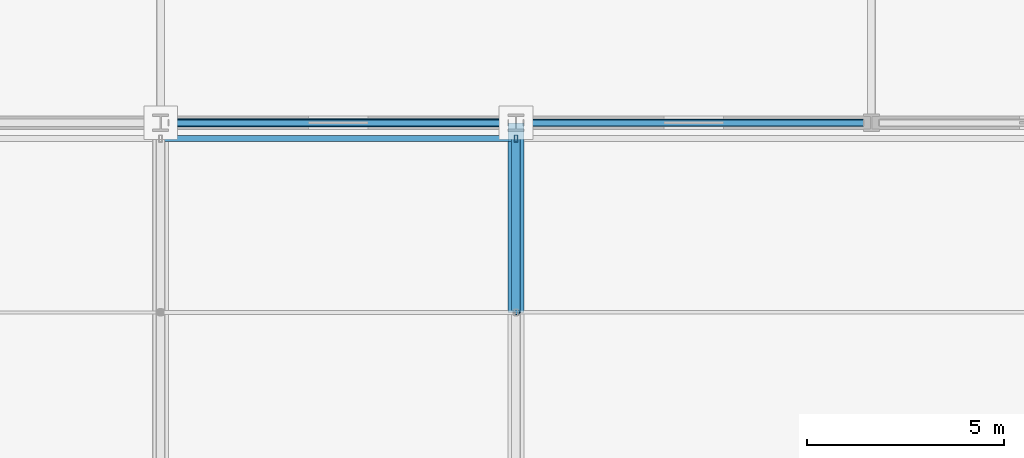
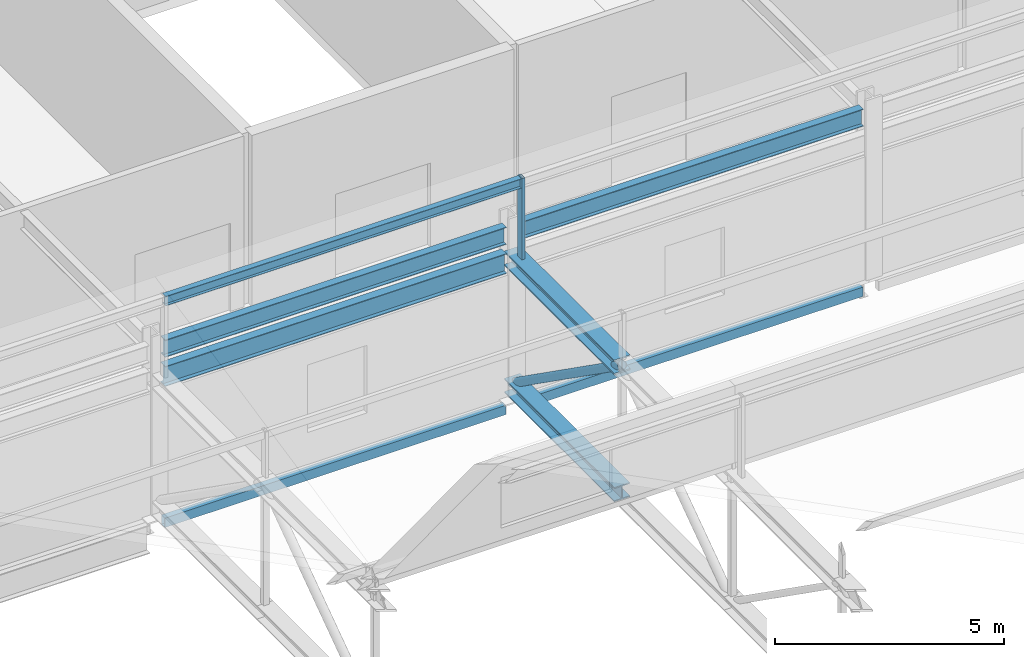
# One storey, part 50 of 136: 7 beams, 3 members.
"""IFC4 building model written with IfcOpenShell, lengths in metres."""

from ifc_helpers import new_model, si_unit, direction, frame, origin, origin_2d, place, context, subcontext, project, spatial, hollow_rectangle, hollow_circle, i_section, extrude, material, material_profile, profile_set, type_object, element, save


model = new_model("IFC4")

# Units and contexts
model_context = context("Model", 3, precision=1e-05, world=origin(), true_north=direction((0.0, 1.0)))
body_context = subcontext(model_context, "Body", "Model", "MODEL_VIEW")
ifc_project = project(units=[si_unit("LENGTHUNIT", "METRE"), si_unit("AREAUNIT", "SQUARE_METRE"), si_unit("VOLUMEUNIT", "CUBIC_METRE"), si_unit("PLANEANGLEUNIT", "RADIAN"), si_unit("MASSUNIT", "GRAM", prefix="KILO")], contexts=[model_context])

# Site, building, storey
site_placement = place(None, origin())
site = spatial("IfcSite", under=ifc_project, at=site_placement, CompositionType="ELEMENT")
building_placement = place(site_placement, origin())
building = spatial("IfcBuilding", under=site, at=building_placement, Name="Kisiwana Market Hall", CompositionType="ELEMENT")
storey_placement = place(building_placement, frame((0.0, 0.0, 16.800048828125)))
storey = spatial("IfcBuildingStorey", under=building, at=storey_placement, Name="L03", CompositionType="ELEMENT", Elevation=16.800048828125)

# Beams
ifc_material_1 = material(Name="Steel S355", Category="steel")
ifc_material_profile_1 = material_profile(ifc_material_1, i_section(OverallWidth=0.19140625, OverallDepth=0.4599609375, WebThickness=0.010009765625, FlangeThickness=0.01611328125, at=origin_2d()), Name="UB 457x191x82")
ifc_profile_set_1 = profile_set([ifc_material_profile_1], Name="Steel S355")
beam_type_1 = type_object("IfcBeamType", Name="BM-GIRD-UB457H", PredefinedType="BEAM", material=ifc_profile_set_1)
for number, where, z_axis, x_axis, name in (
    (1, (81.201904296875, 84.0, 4.27783203125), (1.0, 0.0, 0.0), (0.0, 1.0, 0.0), "Roof girder B-1152"),
    (2, (90.201904296875, 84.0, 4.27783203125), (1.0, 0.0, 0.0), (0.0, 1.0, 0.0), "Roof girder B-1153"),
):
    element("IfcBeam", number, at=place(storey_placement, frame(where, z_axis=z_axis, x_axis=x_axis)), inside=storey, type_object=beam_type_1, Name=name, PredefinedType="BEAM", context=body_context, shape_type="SweptSolid", body=[
        extrude(i_section(OverallWidth=0.19140625, OverallDepth=0.4599609375, WebThickness=0.010009765625, FlangeThickness=0.01611328125, at=origin_2d()), origin(), (0.0, 0.0, 1.0), 8.59619140625),
    ])
ifc_material_2 = material(Name="Steel S355", Category="steel")
ifc_material_profile_2 = material_profile(ifc_material_2, i_section(OverallWidth=0.209228515625, OverallDepth=0.533203125, WebThickness=0.010009765625, FlangeThickness=0.015625, at=origin_2d()), Name="UB 533x210x92")
ifc_profile_set_2 = profile_set([ifc_material_profile_2], Name="Steel S355")
beam_type_2 = type_object("IfcBeamType", Name="BM-GIRD-UB533", PredefinedType="BEAM", material=ifc_profile_set_2)
beam_1_placement = place(storey_placement, frame((81.199951171875, 84.0, 3.54345703125), z_axis=(1.0, 0.0, 0.0), x_axis=(0.0, 1.0, 0.0)))
element("IfcBeam", 3, at=beam_1_placement, inside=storey, type_object=beam_type_2, Name="Truss eaves tie B-1168", PredefinedType="BEAM", context=body_context, shape_type="SweptSolid", body=[
    extrude(i_section(OverallWidth=0.209228515625, OverallDepth=0.533203125, WebThickness=0.010009765625, FlangeThickness=0.015625, at=origin_2d()), origin(), (0.0, 0.0, 1.0), 8.60009765625),
])
ifc_material_3 = material(Name="Steel S355", Category="steel")
ifc_material_profile_3 = material_profile(ifc_material_3, hollow_rectangle(XDim=0.14990234375, YDim=0.25, WallThickness=0.010009765625, at=origin_2d()), Name="RHS 250x150x10.0")
ifc_profile_set_3 = profile_set([ifc_material_profile_3], Name="Steel S355")
beam_type_3 = type_object("IfcBeamType", Name="BM-SPAN-RHS250", PredefinedType="SPANDREL", material=ifc_profile_set_3)
for number, where, z_axis, x_axis, name in (
    (4, (81.201904296875, 84.0, -0.375), (1.0, 0.0, 0.0), (0.0, 1.0, 0.0), "Floor beam B-1031"),
    (5, (90.201904296875, 84.0, -0.375), (1.0, 0.0, 0.0), (0.0, 1.0, 0.0), "Floor beam B-1032"),
):
    element("IfcBeam", number, at=place(storey_placement, frame(where, z_axis=z_axis, x_axis=x_axis)), inside=storey, type_object=beam_type_3, Name=name, PredefinedType="SPANDREL", context=body_context, shape_type="SweptSolid", body=[
        extrude(hollow_rectangle(XDim=0.14990234375, YDim=0.25, WallThickness=0.010009765625, at=origin_2d()), origin(), (0.0, 0.0, 1.0), 8.59619140625),
    ])
ifc_material_4 = material(Name="Steel S355", Category="steel")
ifc_material_profile_4 = material_profile(ifc_material_4, i_section(OverallWidth=0.394775390625, OverallDepth=0.381103515625, WebThickness=0.018310546875, FlangeThickness=0.0302734375, at=origin_2d()), Name="UC 356x406x235")
ifc_profile_set_4 = profile_set([ifc_material_profile_4], Name="Steel S355")
beam_type_4 = type_object("IfcBeamType", Name="BM-TRUSS-BOT", PredefinedType="USERDEFINED", material=ifc_profile_set_4)
beam_2_placement = place(storey_placement, frame((90.0, 79.199951171875, 0.22998046875), z_axis=(0.0, 1.0, 0.0), x_axis=(-1.0, 0.0, 0.0)))
element("IfcBeam", 6, at=beam_2_placement, inside=storey, type_object=beam_type_4, Name="TR-04 BC panel 10 B-1238", ObjectType="ROOF TRUSS", PredefinedType="USERDEFINED", context=body_context, shape_type="SweptSolid", body=[
    extrude(i_section(OverallWidth=0.394775390625, OverallDepth=0.381103515625, WebThickness=0.018310546875, FlangeThickness=0.0302734375, at=origin_2d()), origin(), (0.0, 0.0, 1.0), 4.800048828125),
])
ifc_material_5 = material(Name="Steel S355", Category="steel")
ifc_material_profile_5 = material_profile(ifc_material_5, i_section(OverallWidth=0.39892578125, OverallDepth=0.3935546875, WebThickness=0.022705078125, FlangeThickness=0.03662109375, at=origin_2d()), Name="UC 356x406x287")
ifc_profile_set_5 = profile_set([ifc_material_profile_5], Name="Steel S355")
beam_type_5 = type_object("IfcBeamType", Name="BM-TRUSS-TOP", PredefinedType="USERDEFINED", material=ifc_profile_set_5)
beam_3_placement = place(storey_placement, frame((90.0, 79.199951171875, 3.619873046875), z_axis=(0.0, 1.0, 0.0), x_axis=(-1.0, 0.0, 0.0)))
element("IfcBeam", 7, at=beam_3_placement, inside=storey, type_object=beam_type_5, Name="TR-04 TC panel 10 B-1248", ObjectType="ROOF TRUSS", PredefinedType="USERDEFINED", context=body_context, shape_type="SweptSolid", body=[
    extrude(i_section(OverallWidth=0.39892578125, OverallDepth=0.3935546875, WebThickness=0.022705078125, FlangeThickness=0.03662109375, at=origin_2d()), origin(), (0.0, 0.0, 1.0), 4.800048828125),
])

# Members
ifc_material_6 = material(Name="Steel S355", Category="steel")
ifc_material_profile_6 = material_profile(ifc_material_6, hollow_rectangle(XDim=0.080078125, YDim=0.179931640625, WallThickness=0.00634765625, at=origin_2d()), Name="RHS 180x80x6.3")
ifc_profile_set_6 = profile_set([ifc_material_profile_6], Name="Steel S355")
member_type_1 = type_object("IfcMemberType", Name="MB-CAN-STRUT", PredefinedType="STRUT", material=ifc_profile_set_6)
member_1_placement = place(storey_placement, frame((90.0, 83.60009765625, 3.619873046875), z_axis=(0.0, 0.0, 1.0), x_axis=(1.0, 0.0, 0.0)))
element("IfcMember", 8, at=member_1_placement, inside=storey, type_object=member_type_1, Name="Sawtooth raker post 340 M-0327", PredefinedType="STRUT", context=body_context, shape_type="SweptSolid", body=[
    extrude(hollow_rectangle(XDim=0.080078125, YDim=0.179931640625, WallThickness=0.00634765625, at=origin_2d()), origin(), (0.0, 0.0, 1.0), 2.355712890625),
])
ifc_material_7 = material(Name="Steel S355", Category="steel")
ifc_material_profile_7 = material_profile(ifc_material_7, i_section(OverallWidth=0.146484375, OverallDepth=0.256103515625, WebThickness=0.00634765625, FlangeThickness=0.010986328125, at=origin_2d()), Name="UB 254x146x37")
ifc_profile_set_7 = profile_set([ifc_material_profile_7], Name="Steel S355")
member_type_2 = type_object("IfcMemberType", Name="MB-ROOF-PURLIN2", PredefinedType="PURLIN", material=ifc_profile_set_7)
member_2_placement = place(storey_placement, frame((81.0, 83.60009765625, 5.843505859375), z_axis=(1.0, 0.0, 0.0), x_axis=(0.0, 1.0, 0.0)))
element("IfcMember", 9, at=member_2_placement, inside=storey, type_object=member_type_2, Name="Sawtooth roof purlin 354 M-0215", PredefinedType="PURLIN", context=body_context, shape_type="SweptSolid", body=[
    extrude(i_section(OverallWidth=0.146484375, OverallDepth=0.256103515625, WebThickness=0.00634765625, FlangeThickness=0.010986328125, at=origin_2d()), origin(), (0.0, 0.0, 1.0), 9.0),
])
ifc_material_8 = material(Name="Steel S355", Category="steel")
ifc_material_profile_8 = material_profile(ifc_material_8, hollow_circle(Radius=0.109619140625, WallThickness=0.012451171875, at=origin_2d()), Name="CHS 219.1x12.5")
ifc_profile_set_8 = profile_set([ifc_material_profile_8], Name="Steel S355")
member_type_3 = type_object("IfcMemberType", Name="MB-TR-DIAG219", PredefinedType="BRACE", material=ifc_profile_set_8)
member_3_placement = place(storey_placement, frame((90.0, 79.199951171875, 3.619873046875), z_axis=(0.0, 0.816837735077, -0.576867501732), x_axis=(-1.0, 0.0, 0.0)))
element("IfcMember", 10, at=member_3_placement, inside=storey, type_object=member_type_3, Name="TR-04 diagonal 10 M-0393", PredefinedType="BRACE", context=body_context, shape_type="SweptSolid", body=[
    extrude(hollow_circle(Radius=0.109619140625, WallThickness=0.012451171875, at=origin_2d()), origin(), (0.0, 0.0, 1.0), 5.87646484375),
])

save(model, "model.ifc")
